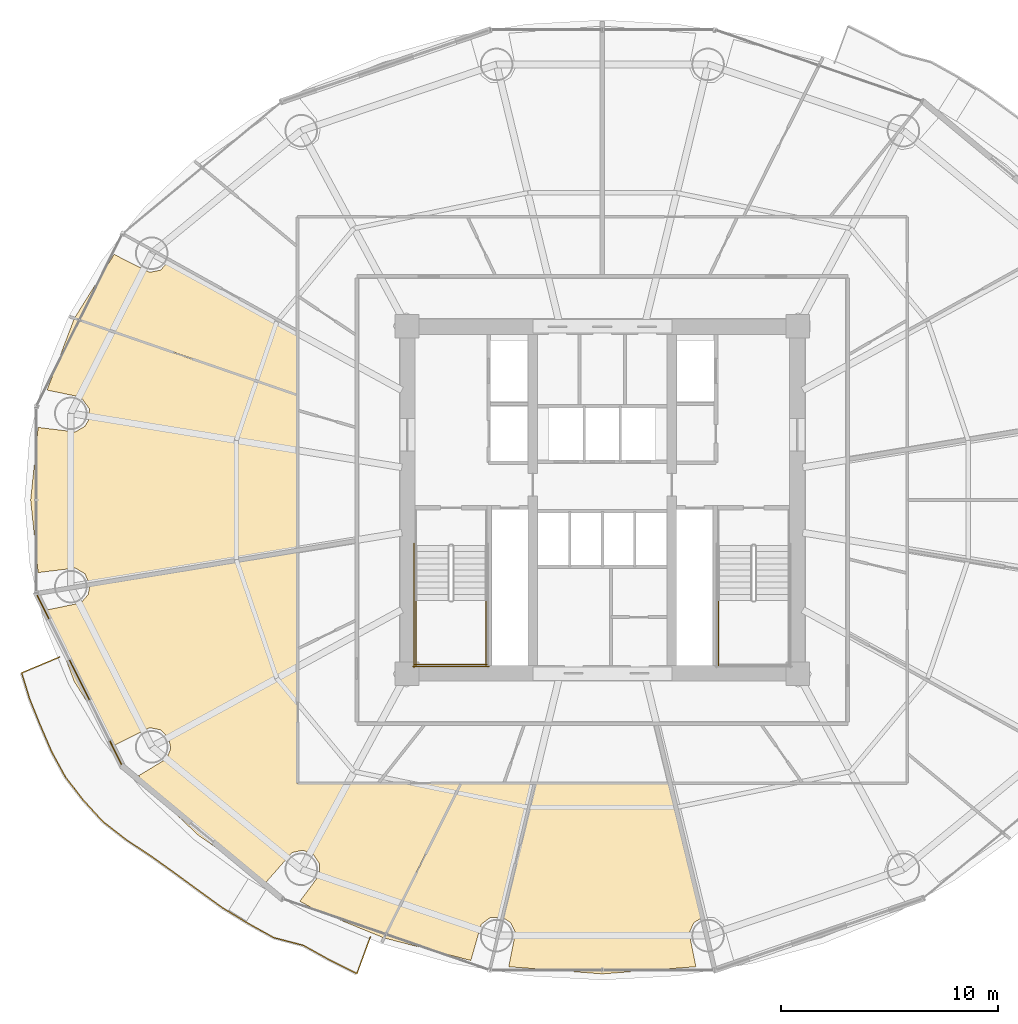
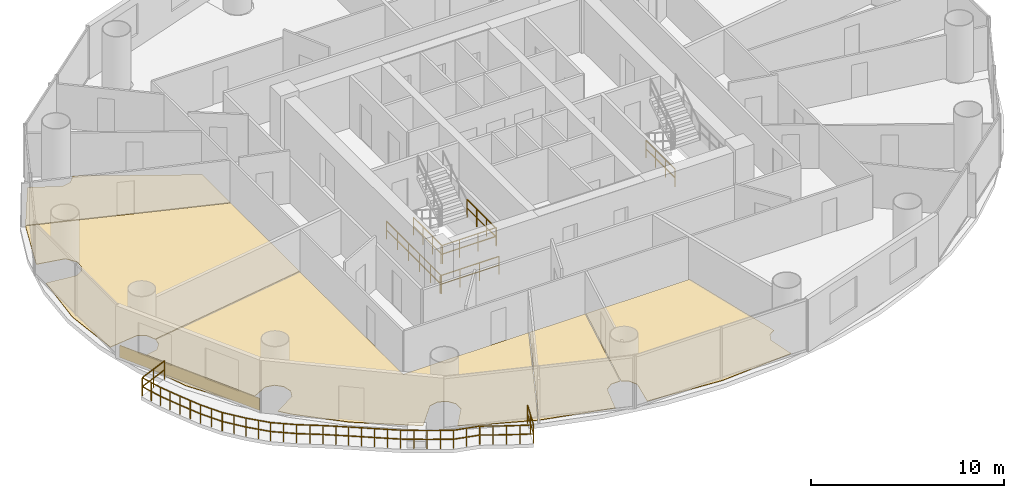
# One storey, part 26 of 29: 7 railings, 6 coverings.
"""IFC4 building model written with IfcOpenShell, lengths in metres."""

from ifc_helpers import new_model, si_unit, direction, frame, origin, origin_2d, place, context, subcontext, project, spatial, polyline, rectangle, outline, extrude, source, transform, mapped, material, layer, layer_set, type_object, element, save


model = new_model("IFC4")

# Units and contexts
model_context = context("Model", 3, precision=1e-05, world=origin(), true_north=direction((-0.2419218956, 0.970295726276)))
body_context = subcontext(model_context, "Body", "Model", "MODEL_VIEW")
ifc_project = project(units=[si_unit("LENGTHUNIT", "METRE"), si_unit("AREAUNIT", "SQUARE_METRE"), si_unit("VOLUMEUNIT", "CUBIC_METRE"), si_unit("PLANEANGLEUNIT", "RADIAN"), si_unit("MASSUNIT", "GRAM", prefix="KILO")], contexts=[model_context])

# Site, building, storey
site_placement = place(None, origin())
site = spatial("IfcSite", under=ifc_project, at=site_placement, CompositionType="ELEMENT")
building_placement = place(site_placement, origin())
building = spatial("IfcBuilding", under=site, at=building_placement, Name="Cobrevalo Terracotta Tower", CompositionType="ELEMENT")
storey_placement = place(building_placement, frame((0.0, 0.0, 79.800048828125)))
storey = spatial("IfcBuildingStorey", under=building, at=storey_placement, Name="L20", CompositionType="ELEMENT", Elevation=79.800048828125)

# Railing
ifc_material_1 = material(Name="Laminated structural glass and stainless steel", Category="steel")
railing_type_1 = type_object("IfcRailingType", Name="Balcony lobe structural glass & terracotta-cap balustrade 1180 mm", PredefinedType="BALUSTRADE", material=ifc_material_1)
railing_1_placement = place(storey_placement, frame((13.018798828125, 19.5732421875, 0.0)))
element("IfcRailing", 1, at=railing_1_placement, inside=storey, type_object=railing_type_1, Name="L20 spiralling balcony lobe balustrade 2", PredefinedType="BALUSTRADE", context=body_context, shape_type="SweptSolid", body=[
    extrude(rectangle(XDim=0.048095703125, YDim=0.048095703125, at=origin_2d()), frame((0.0, 0.0, 1.15576171875), z_axis=(-0.922383498366, -0.386275396501, 0.0), x_axis=(0.386275396501, -0.922383498366, 0.0)), (0.0, 0.0, 1.0), 1.89990234375),
    extrude(rectangle(XDim=0.048095703125, YDim=0.048095703125, at=origin_2d()), frame((0.0, 0.0, 0.58984375), z_axis=(-0.922383498366, -0.386275396501, 0.0), x_axis=(0.386275396501, -0.922383498366, 0.0)), (0.0, 0.0, 1.0), 1.89990234375),
    extrude(rectangle(XDim=0.048095703125, YDim=0.048095703125, at=origin_2d()), frame((-1.75244140625, -0.73388671875, 1.15576171875), z_axis=(0.293387817987, -0.95599350848, 0.0), x_axis=(0.95599350848, 0.293387817987, 0.0)), (0.0, 0.0, 1.0), 1.278076171875),
    extrude(rectangle(XDim=0.048095703125, YDim=0.048095703125, at=origin_2d()), frame((-1.75244140625, -0.73388671875, 0.58984375), z_axis=(0.293387817987, -0.95599350848, 0.0), x_axis=(0.95599350848, 0.293387817987, 0.0)), (0.0, 0.0, 1.0), 1.278076171875),
    extrude(rectangle(XDim=0.048095703125, YDim=0.048095703125, at=origin_2d()), frame((-1.37744140625, -1.955810546875, 1.15576171875), z_axis=(0.376245977, -0.926519813491, 0.0), x_axis=(0.926519813491, 0.376245977, 0.0)), (0.0, 0.0, 1.0), 1.299072265625),
    extrude(rectangle(XDim=0.048095703125, YDim=0.048095703125, at=origin_2d()), frame((-1.37744140625, -1.955810546875, 0.58984375), z_axis=(0.376245977, -0.926519813491, 0.0), x_axis=(0.926519813491, 0.376245977, 0.0)), (0.0, 0.0, 1.0), 1.299072265625),
    extrude(rectangle(XDim=0.048095703125, YDim=0.048095703125, at=origin_2d()), frame((-0.888671875, -3.159423828125, 1.15576171875), z_axis=(0.394947978191, -0.918703485638, 0.0), x_axis=(0.918703485638, 0.394947978191, 0.0)), (0.0, 0.0, 1.0), 1.3173828125),
    extrude(rectangle(XDim=0.048095703125, YDim=0.048095703125, at=origin_2d()), frame((-0.888671875, -3.159423828125, 0.58984375), z_axis=(0.394947978191, -0.918703485638, 0.0), x_axis=(0.918703485638, 0.394947978191, 0.0)), (0.0, 0.0, 1.0), 1.3173828125),
    extrude(rectangle(XDim=0.048095703125, YDim=0.048095703125, at=origin_2d()), frame((-0.368408203125, -4.36962890625, 1.15576171875), z_axis=(0.477352349083, -0.878711974896, 0.0), x_axis=(0.878711974896, 0.477352349083, 0.0)), (0.0, 0.0, 1.0), 1.32373046875),
    extrude(rectangle(XDim=0.048095703125, YDim=0.048095703125, at=origin_2d()), frame((-0.368408203125, -4.36962890625, 0.58984375), z_axis=(0.477352349083, -0.878711974896, 0.0), x_axis=(0.878711974896, 0.477352349083, 0.0)), (0.0, 0.0, 1.0), 1.32373046875),
    extrude(rectangle(XDim=0.048095703125, YDim=0.048095703125, at=origin_2d()), frame((0.263427734375, -5.53271484375, 1.15576171875), z_axis=(0.611603136557, -0.791164713162, 0.0), x_axis=(0.791164713162, 0.611603136557, 0.0)), (0.0, 0.0, 1.0), 1.33935546875),
    extrude(rectangle(XDim=0.048095703125, YDim=0.048095703125, at=origin_2d()), frame((0.263427734375, -5.53271484375, 0.58984375), z_axis=(0.611603136557, -0.791164713162, 0.0), x_axis=(0.791164713162, 0.611603136557, 0.0)), (0.0, 0.0, 1.0), 1.33935546875),
    extrude(rectangle(XDim=0.048095703125, YDim=0.048095703125, at=origin_2d()), frame((1.08251953125, -6.59228515625, 1.15576171875), z_axis=(0.675352095942, -0.737495455244, 0.0), x_axis=(0.737495455244, 0.675352095942, 0.0)), (0.0, 0.0, 1.0), 1.335693359375),
    extrude(rectangle(XDim=0.048095703125, YDim=0.048095703125, at=origin_2d()), frame((1.08251953125, -6.59228515625, 0.58984375), z_axis=(0.675352095942, -0.737495455244, 0.0), x_axis=(0.737495455244, 0.675352095942, 0.0)), (0.0, 0.0, 1.0), 1.335693359375),
    extrude(rectangle(XDim=0.048095703125, YDim=0.048095703125, at=origin_2d()), frame((1.984619140625, -7.577392578125, 1.15576171875), z_axis=(0.788830761153, -0.614610470346, 0.0), x_axis=(0.614610470346, 0.788830761153, 0.0)), (0.0, 0.0, 1.0), 1.362060546875),
    extrude(rectangle(XDim=0.048095703125, YDim=0.048095703125, at=origin_2d()), frame((1.984619140625, -7.577392578125, 0.58984375), z_axis=(0.788830761153, -0.614610470346, 0.0), x_axis=(0.614610470346, 0.788830761153, 0.0)), (0.0, 0.0, 1.0), 1.362060546875),
    extrude(rectangle(XDim=0.048095703125, YDim=0.048095703125, at=origin_2d()), frame((3.05908203125, -8.41455078125, 1.15576171875), z_axis=(0.834247089996, -0.551390780512, 0.0), x_axis=(0.551390780512, 0.834247089996, 0.0)), (0.0, 0.0, 1.0), 1.36376953125),
    extrude(rectangle(XDim=0.048095703125, YDim=0.048095703125, at=origin_2d()), frame((3.05908203125, -8.41455078125, 0.58984375), z_axis=(0.834247089996, -0.551390780512, 0.0), x_axis=(0.551390780512, 0.834247089996, 0.0)), (0.0, 0.0, 1.0), 1.36376953125),
    extrude(rectangle(XDim=0.048095703125, YDim=0.048095703125, at=origin_2d()), frame((4.19677734375, -9.16650390625, 1.15576171875), z_axis=(0.813893374706, -0.581014263688, 0.0), x_axis=(0.581014263688, 0.813893374706, 0.0)), (0.0, 0.0, 1.0), 1.3408203125),
    extrude(rectangle(XDim=0.048095703125, YDim=0.048095703125, at=origin_2d()), frame((4.19677734375, -9.16650390625, 0.58984375), z_axis=(0.813893374706, -0.581014263688, 0.0), x_axis=(0.581014263688, 0.813893374706, 0.0)), (0.0, 0.0, 1.0), 1.3408203125),
    extrude(rectangle(XDim=0.048095703125, YDim=0.048095703125, at=origin_2d()), frame((5.2880859375, -9.945556640625, 1.15576171875), z_axis=(0.807457104256, -0.589926287587, 0.0), x_axis=(0.589926287587, 0.807457104256, 0.0)), (0.0, 0.0, 1.0), 1.355712890625),
    extrude(rectangle(XDim=0.048095703125, YDim=0.048095703125, at=origin_2d()), frame((5.2880859375, -9.945556640625, 0.58984375), z_axis=(0.807457104256, -0.589926287587, 0.0), x_axis=(0.589926287587, 0.807457104256, 0.0)), (0.0, 0.0, 1.0), 1.355712890625),
    extrude(rectangle(XDim=0.048095703125, YDim=0.048095703125, at=origin_2d()), frame((6.3828125, -10.745361328125, 1.15576171875), z_axis=(0.809336124214, -0.58734575681, 0.0), x_axis=(0.58734575681, 0.809336124214, 0.0)), (0.0, 0.0, 1.0), 1.353759765625),
    extrude(rectangle(XDim=0.048095703125, YDim=0.048095703125, at=origin_2d()), frame((6.3828125, -10.745361328125, 0.58984375), z_axis=(0.809336124214, -0.58734575681, 0.0), x_axis=(0.58734575681, 0.809336124214, 0.0)), (0.0, 0.0, 1.0), 1.353759765625),
    extrude(rectangle(XDim=0.048095703125, YDim=0.048095703125, at=origin_2d()), frame((7.478515625, -11.54052734375, 1.15576171875), z_axis=(0.853709159768, -0.520750103723, 0.0), x_axis=(0.520750103723, 0.853709159768, 0.0)), (0.0, 0.0, 1.0), 1.368896484375),
    extrude(rectangle(XDim=0.048095703125, YDim=0.048095703125, at=origin_2d()), frame((7.478515625, -11.54052734375, 0.58984375), z_axis=(0.853709159768, -0.520750103723, 0.0), x_axis=(0.520750103723, 0.853709159768, 0.0)), (0.0, 0.0, 1.0), 1.368896484375),
    extrude(rectangle(XDim=0.048095703125, YDim=0.048095703125, at=origin_2d()), frame((8.647216796875, -12.25341796875, 1.15576171875), z_axis=(0.87437430677, -0.485252070228, 0.0), x_axis=(0.485252070228, 0.87437430677, 0.0)), (0.0, 0.0, 1.0), 1.379150390625),
    extrude(rectangle(XDim=0.048095703125, YDim=0.048095703125, at=origin_2d()), frame((8.647216796875, -12.25341796875, 0.58984375), z_axis=(0.87437430677, -0.485252070228, 0.0), x_axis=(0.485252070228, 0.87437430677, 0.0)), (0.0, 0.0, 1.0), 1.379150390625),
    extrude(rectangle(XDim=0.048095703125, YDim=0.048095703125, at=origin_2d()), frame((9.85302734375, -12.922607421875, 1.15576171875), z_axis=(0.967517354324, -0.252804606528, 0.0), x_axis=(0.252804606528, 0.967517354324, 0.0)), (0.0, 0.0, 1.0), 1.40234375),
    extrude(rectangle(XDim=0.048095703125, YDim=0.048095703125, at=origin_2d()), frame((9.85302734375, -12.922607421875, 0.58984375), z_axis=(0.967517354324, -0.252804606528, 0.0), x_axis=(0.252804606528, 0.967517354324, 0.0)), (0.0, 0.0, 1.0), 1.40234375),
    extrude(rectangle(XDim=0.048095703125, YDim=0.048095703125, at=origin_2d()), frame((11.209716796875, -13.277099609375, 1.15576171875), z_axis=(0.874792497823, -0.484497766509, 0.0), x_axis=(0.484497766509, 0.874792497823, 0.0)), (0.0, 0.0, 1.0), 1.394287109375),
    extrude(rectangle(XDim=0.048095703125, YDim=0.048095703125, at=origin_2d()), frame((11.209716796875, -13.277099609375, 0.58984375), z_axis=(0.874792497823, -0.484497766509, 0.0), x_axis=(0.484497766509, 0.874792497823, 0.0)), (0.0, 0.0, 1.0), 1.394287109375),
    extrude(rectangle(XDim=0.048095703125, YDim=0.048095703125, at=origin_2d()), frame((12.429443359375, -13.95263671875, 1.15576171875), z_axis=(0.894113185743, -0.4478410556, 0.0), x_axis=(0.4478410556, 0.894113185743, 0.0)), (0.0, 0.0, 1.0), 1.400390625),
    extrude(rectangle(XDim=0.048095703125, YDim=0.048095703125, at=origin_2d()), frame((12.429443359375, -13.95263671875, 0.58984375), z_axis=(0.894113185743, -0.4478410556, 0.0), x_axis=(0.4478410556, 0.894113185743, 0.0)), (0.0, 0.0, 1.0), 1.400390625),
    extrude(rectangle(XDim=0.048095703125, YDim=0.048095703125, at=origin_2d()), frame((13.681640625, -14.579833984375, 1.15576171875), z_axis=(0.34439807019, 0.938823715747, 0.0), x_axis=(-0.938823715747, 0.34439807019, 0.0)), (0.0, 0.0, 1.0), 1.800537109375),
    extrude(rectangle(XDim=0.048095703125, YDim=0.048095703125, at=origin_2d()), frame((13.681640625, -14.579833984375, 0.58984375), z_axis=(0.34439807019, 0.938823715747, 0.0), x_axis=(-0.938823715747, 0.34439807019, 0.0)), (0.0, 0.0, 1.0), 1.800537109375),
    extrude(rectangle(XDim=0.0419921875, YDim=0.0419921875, at=origin_2d()), origin(), (0.0, 0.0, 1.0), 1.1318359375),
    extrude(rectangle(XDim=0.0419921875, YDim=0.0419921875, at=origin_2d()), frame((-0.876220703125, -0.366943359375, 0.0)), (0.0, 0.0, 1.0), 1.1318359375),
    extrude(rectangle(XDim=0.0419921875, YDim=0.0419921875, at=origin_2d()), frame((-1.75244140625, -0.73388671875, 0.0)), (0.0, 0.0, 1.0), 1.1318359375),
    extrude(rectangle(XDim=0.0419921875, YDim=0.0419921875, at=origin_2d()), frame((-1.56494140625, -1.3447265625, 0.0)), (0.0, 0.0, 1.0), 1.1318359375),
    extrude(rectangle(XDim=0.0419921875, YDim=0.0419921875, at=origin_2d()), frame((-1.37744140625, -1.955810546875, 0.0)), (0.0, 0.0, 1.0), 1.1318359375),
    extrude(rectangle(XDim=0.0419921875, YDim=0.0419921875, at=origin_2d()), frame((-1.133056640625, -2.5576171875, 0.0)), (0.0, 0.0, 1.0), 1.1318359375),
    extrude(rectangle(XDim=0.0419921875, YDim=0.0419921875, at=origin_2d()), frame((-0.888671875, -3.159423828125, 0.0)), (0.0, 0.0, 1.0), 1.1318359375),
    extrude(rectangle(XDim=0.0419921875, YDim=0.0419921875, at=origin_2d()), frame((-0.62841796875, -3.7646484375, 0.0)), (0.0, 0.0, 1.0), 1.1318359375),
    extrude(rectangle(XDim=0.0419921875, YDim=0.0419921875, at=origin_2d()), frame((-0.368408203125, -4.36962890625, 0.0)), (0.0, 0.0, 1.0), 1.1318359375),
    extrude(rectangle(XDim=0.0419921875, YDim=0.0419921875, at=origin_2d()), frame((-0.052490234375, -4.951171875, 0.0)), (0.0, 0.0, 1.0), 1.1318359375),
    extrude(rectangle(XDim=0.0419921875, YDim=0.0419921875, at=origin_2d()), frame((0.263427734375, -5.53271484375, 0.0)), (0.0, 0.0, 1.0), 1.1318359375),
    extrude(rectangle(XDim=0.0419921875, YDim=0.0419921875, at=origin_2d()), frame((0.6728515625, -6.0625, 0.0)), (0.0, 0.0, 1.0), 1.1318359375),
    extrude(rectangle(XDim=0.0419921875, YDim=0.0419921875, at=origin_2d()), frame((1.08251953125, -6.59228515625, 0.0)), (0.0, 0.0, 1.0), 1.1318359375),
    extrude(rectangle(XDim=0.0419921875, YDim=0.0419921875, at=origin_2d()), frame((1.53369140625, -7.0849609375, 0.0)), (0.0, 0.0, 1.0), 1.1318359375),
    extrude(rectangle(XDim=0.0419921875, YDim=0.0419921875, at=origin_2d()), frame((1.984619140625, -7.577392578125, 0.0)), (0.0, 0.0, 1.0), 1.1318359375),
    extrude(rectangle(XDim=0.0419921875, YDim=0.0419921875, at=origin_2d()), frame((2.52197265625, -7.99609375, 0.0)), (0.0, 0.0, 1.0), 1.1318359375),
    extrude(rectangle(XDim=0.0419921875, YDim=0.0419921875, at=origin_2d()), frame((3.05908203125, -8.41455078125, 0.0)), (0.0, 0.0, 1.0), 1.1318359375),
    extrude(rectangle(XDim=0.0419921875, YDim=0.0419921875, at=origin_2d()), frame((3.6279296875, -8.79052734375, 0.0)), (0.0, 0.0, 1.0), 1.1318359375),
    extrude(rectangle(XDim=0.0419921875, YDim=0.0419921875, at=origin_2d()), frame((4.19677734375, -9.16650390625, 0.0)), (0.0, 0.0, 1.0), 1.1318359375),
    extrude(rectangle(XDim=0.0419921875, YDim=0.0419921875, at=origin_2d()), frame((4.742431640625, -9.55615234375, 0.0)), (0.0, 0.0, 1.0), 1.1318359375),
    extrude(rectangle(XDim=0.0419921875, YDim=0.0419921875, at=origin_2d()), frame((5.2880859375, -9.945556640625, 0.0)), (0.0, 0.0, 1.0), 1.1318359375),
    extrude(rectangle(XDim=0.0419921875, YDim=0.0419921875, at=origin_2d()), frame((5.83544921875, -10.345458984375, 0.0)), (0.0, 0.0, 1.0), 1.1318359375),
    extrude(rectangle(XDim=0.0419921875, YDim=0.0419921875, at=origin_2d()), frame((6.3828125, -10.745361328125, 0.0)), (0.0, 0.0, 1.0), 1.1318359375),
    extrude(rectangle(XDim=0.0419921875, YDim=0.0419921875, at=origin_2d()), frame((6.9306640625, -11.14306640625, 0.0)), (0.0, 0.0, 1.0), 1.1318359375),
    extrude(rectangle(XDim=0.0419921875, YDim=0.0419921875, at=origin_2d()), frame((7.478515625, -11.54052734375, 0.0)), (0.0, 0.0, 1.0), 1.1318359375),
    extrude(rectangle(XDim=0.0419921875, YDim=0.0419921875, at=origin_2d()), frame((8.06298828125, -11.89697265625, 0.0)), (0.0, 0.0, 1.0), 1.1318359375),
    extrude(rectangle(XDim=0.0419921875, YDim=0.0419921875, at=origin_2d()), frame((8.647216796875, -12.25341796875, 0.0)), (0.0, 0.0, 1.0), 1.1318359375),
    extrude(rectangle(XDim=0.0419921875, YDim=0.0419921875, at=origin_2d()), frame((9.25, -12.587890625, 0.0)), (0.0, 0.0, 1.0), 1.1318359375),
    extrude(rectangle(XDim=0.0419921875, YDim=0.0419921875, at=origin_2d()), frame((9.85302734375, -12.922607421875, 0.0)), (0.0, 0.0, 1.0), 1.1318359375),
    extrude(rectangle(XDim=0.0419921875, YDim=0.0419921875, at=origin_2d()), frame((10.53125, -13.099853515625, 0.0)), (0.0, 0.0, 1.0), 1.1318359375),
    extrude(rectangle(XDim=0.0419921875, YDim=0.0419921875, at=origin_2d()), frame((11.209716796875, -13.277099609375, 0.0)), (0.0, 0.0, 1.0), 1.1318359375),
    extrude(rectangle(XDim=0.0419921875, YDim=0.0419921875, at=origin_2d()), frame((11.819580078125, -13.61474609375, 0.0)), (0.0, 0.0, 1.0), 1.1318359375),
    extrude(rectangle(XDim=0.0419921875, YDim=0.0419921875, at=origin_2d()), frame((12.429443359375, -13.95263671875, 0.0)), (0.0, 0.0, 1.0), 1.1318359375),
    extrude(rectangle(XDim=0.0419921875, YDim=0.0419921875, at=origin_2d()), frame((13.0556640625, -14.26611328125, 0.0)), (0.0, 0.0, 1.0), 1.1318359375),
    extrude(rectangle(XDim=0.0419921875, YDim=0.0419921875, at=origin_2d()), frame((13.681640625, -14.579833984375, 0.0)), (0.0, 0.0, 1.0), 1.1318359375),
    extrude(rectangle(XDim=0.0419921875, YDim=0.0419921875, at=origin_2d()), frame((13.99169921875, -13.734619140625, 0.0)), (0.0, 0.0, 1.0), 1.1318359375),
    extrude(rectangle(XDim=0.0419921875, YDim=0.0419921875, at=origin_2d()), frame((14.3017578125, -12.889404296875, 0.0)), (0.0, 0.0, 1.0), 1.1318359375),
])

# Coverings
ifc_material_2 = material(Name="Engineered Brazilian hardwood flooring", Category="wood")
ifc_layer_1 = layer(ifc_material_2, 0.028076171875)
ifc_layer_set_1 = layer_set([ifc_layer_1], Name="Engineered Brazilian hardwood flooring")
covering_type_1 = type_object("IfcCoveringType", Name="Engineered Hardwood Suite Flooring 28", PredefinedType="FLOORING", material=ifc_layer_set_1)
covering_1_placement = place(storey_placement, origin())
element("IfcCovering", 2, at=covering_1_placement, inside=storey, type_object=covering_type_1, Name="Flat L20B Principal Guest Bedroom floor finish", PredefinedType="FLOORING", context=body_context, shape_type="SweptSolid", body=[
    extrude(outline(polyline([(15.525146484375, 38.10546875), (17.15966796875, 37.286376953125), (17.661865234375, 37.381103515625), (18.0703125, 37.8408203125), (23.945068359375, 34.57958984375), (23.945068359375, 31.657958984375), (13.703125, 35.1826171875), (15.525146484375, 38.10546875)])), origin(), (0.0, 0.0, 1.0), 0.030029296875),
])
covering_2_placement = place(storey_placement, origin())
element("IfcCovering", 3, at=covering_2_placement, inside=storey, type_object=covering_type_1, Name="Flat L20B Penthouse Family Lounge floor finish", PredefinedType="FLOORING", context=body_context, shape_type="SweptSolid", body=[
    extrude(outline(polyline([(12.024169921875, 30.143310546875), (13.73095703125, 29.932861328125), (14.1728515625, 30.189208984375), (14.353759765625, 30.481201171875), (14.38623046875, 30.9912109375), (13.99267578125, 31.537841796875), (12.435791015625, 31.859619140625), (13.6845703125, 35.146728515625), (23.945068359375, 31.61572265625), (23.945068359375, 24.49755859375), (14.39697265625, 22.919677734375), (14.1728515625, 23.41064453125), (13.73095703125, 23.6669921875), (12.024169921875, 23.45654296875), (11.68017578125, 26.800048828125), (12.024169921875, 30.143310546875)])), origin(), (0.0, 0.0, 1.0), 0.030029296875),
])
covering_3_placement = place(storey_placement, origin())
element("IfcCovering", 4, at=covering_3_placement, inside=storey, type_object=covering_type_1, Name="Flat L20C Penthouse Living and Dining Room floor finish", PredefinedType="FLOORING", context=body_context, shape_type="SweptSolid", body=[
    extrude(outline(polyline([(24.838623046875, 7.904052734375), (24.07568359375, 8.32666015625), (24.9814453125, 9.543701171875), (24.97998046875, 10.0546875), (24.694580078125, 10.478515625), (24.221923828125, 10.672607421875), (23.72119140625, 10.5712890625), (22.511474609375, 9.193359375), (19.3876953125, 11.372314453125), (17.117919921875, 13.518310546875), (16.64697265625, 14.102294921875), (17.94091796875, 14.88720703125), (18.131591796875, 15.361328125), (18.02685546875, 15.861328125), (17.661865234375, 16.218994140625), (17.15966796875, 16.3134765625), (15.525146484375, 15.49462890625), (13.682861328125, 18.451171875), (12.435791015625, 21.740478515625), (13.99267578125, 22.06201171875), (14.330322265625, 22.445556640625), (14.402587890625, 22.8798828125), (23.945068359375, 24.45703125), (23.945068359375, 13.7451171875), (31.468994140625, 13.7451171875), (27.92822265625, 6.64306640625), (24.838623046875, 7.904052734375)])), origin(), (0.0, 0.0, 1.0), 0.030029296875),
])
covering_4_placement = place(storey_placement, origin())
element("IfcCovering", 5, at=covering_4_placement, inside=storey, type_object=covering_type_1, Name="Flat L20C Master Bedroom floor finish", PredefinedType="FLOORING", context=body_context, shape_type="SweptSolid", body=[
    extrude(outline(polyline([(27.966552734375, 6.630126953125), (31.513671875, 13.7451171875), (34.853759765625, 13.7451171875), (33.37890625, 7.584716796875), (32.829833984375, 7.5693359375), (32.421875, 7.261962890625), (31.94921875, 5.59814453125), (27.966552734375, 6.630126953125)])), origin(), (0.0, 0.0, 1.0), 0.030029296875),
])
covering_5_placement = place(storey_placement, origin())
element("IfcCovering", 6, at=covering_5_placement, inside=storey, type_object=covering_type_1, Name="Flat L20C Penthouse Family Lounge floor finish", PredefinedType="FLOORING", context=body_context, shape_type="SweptSolid", body=[
    extrude(outline(polyline([(33.6904296875, 5.310791015625), (34.002197265625, 6.87841796875), (33.7802734375, 7.3388671875), (33.4169921875, 7.5712890625), (34.89501953125, 13.7451171875), (41.10498046875, 13.7451171875), (42.5830078125, 7.5712890625), (42.2197265625, 7.3388671875), (41.997802734375, 6.87841796875), (42.3095703125, 5.310791015625), (38.0, 4.97998046875), (33.6904296875, 5.310791015625)])), origin(), (0.0, 0.0, 1.0), 0.030029296875),
])

# Railings
ifc_material_3 = material(Name="Painted galvanized steel", Category="steel")
railing_type_2 = type_object("IfcRailingType", Name="Stair Well Guard Balustrade 1150", PredefinedType="GUARDRAIL", material=ifc_material_3)
for number, where, name in (
    (7, (29.425048828125, 22.179931640625, 1.800048828125), "L20 ST-1 stair guard 3"),
    (8, (32.64501953125, 22.179931640625, 1.800048828125), "L20 ST-1 stair guard 4"),
):
    element("IfcRailing", number, at=place(storey_placement, frame(where)), inside=storey, type_object=railing_type_2, Name=name, PredefinedType="GUARDRAIL", context=body_context, shape_type="SweptSolid", body=[
        extrude(rectangle(XDim=0.048095703125, YDim=0.048095703125, at=origin_2d()), frame((0.0, 0.0, 1.1259765625), z_axis=(0.0, -1.0, 0.0), x_axis=(1.0, 0.0, 0.0)), (0.0, 0.0, 1.0), 3.0048828125),
        extrude(rectangle(XDim=0.048095703125, YDim=0.048095703125, at=origin_2d()), frame((0.0, 0.0, 0.574951171875), z_axis=(0.0, -1.0, 0.0), x_axis=(1.0, 0.0, 0.0)), (0.0, 0.0, 1.0), 3.0048828125),
        extrude(rectangle(XDim=0.0419921875, YDim=0.0419921875, at=origin_2d()), origin(), (0.0, 0.0, 1.0), 1.101806640625),
        extrude(rectangle(XDim=0.0419921875, YDim=0.0419921875, at=origin_2d()), frame((0.0, -1.001708984375, 0.0)), (0.0, 0.0, 1.0), 1.101806640625),
        extrude(rectangle(XDim=0.0419921875, YDim=0.0419921875, at=origin_2d()), frame((0.0, -2.003173828125, 0.0)), (0.0, 0.0, 1.0), 1.101806640625),
        extrude(rectangle(XDim=0.0419921875, YDim=0.0419921875, at=origin_2d()), frame((0.0, -3.0048828125, 0.0)), (0.0, 0.0, 1.0), 1.101806640625),
    ])
railing_2_placement = place(storey_placement, frame((29.375, 19.22509765625, 1.800048828125)))
element("IfcRailing", 9, at=railing_2_placement, inside=storey, type_object=railing_type_2, Name="L20 ST-1 stair guard 5", PredefinedType="GUARDRAIL", context=body_context, shape_type="SweptSolid", body=[
    extrude(rectangle(XDim=0.048095703125, YDim=0.048095703125, at=origin_2d()), frame((0.0, 0.0, 1.1259765625), z_axis=(1.0, 0.0, 0.0), x_axis=(0.0, 1.0, 0.0)), (0.0, 0.0, 1.0), 3.320068359375),
    extrude(rectangle(XDim=0.048095703125, YDim=0.048095703125, at=origin_2d()), frame((0.0, 0.0, 0.574951171875), z_axis=(1.0, 0.0, 0.0), x_axis=(0.0, 1.0, 0.0)), (0.0, 0.0, 1.0), 3.320068359375),
    extrude(rectangle(XDim=0.0419921875, YDim=0.0419921875, at=origin_2d()), origin(), (0.0, 0.0, 1.0), 1.101806640625),
    extrude(rectangle(XDim=0.0419921875, YDim=0.0419921875, at=origin_2d()), frame((1.106689453125, 0.0, 0.0)), (0.0, 0.0, 1.0), 1.101806640625),
    extrude(rectangle(XDim=0.0419921875, YDim=0.0419921875, at=origin_2d()), frame((2.21337890625, 0.0, 0.0)), (0.0, 0.0, 1.0), 1.101806640625),
    extrude(rectangle(XDim=0.0419921875, YDim=0.0419921875, at=origin_2d()), frame((3.320068359375, 0.0, 0.0)), (0.0, 0.0, 1.0), 1.101806640625),
])
railing_3_placement = place(storey_placement, frame((29.324951171875, 24.800048828125, 0.0)))
element("IfcRailing", 10, at=railing_3_placement, inside=storey, type_object=railing_type_2, Name="L20 ST-1 stair guard 10", PredefinedType="GUARDRAIL", context=body_context, shape_type="SweptSolid", body=[
    extrude(rectangle(XDim=0.048095703125, YDim=0.048095703125, at=origin_2d()), frame((0.0, 0.0, 1.1259765625), z_axis=(0.0, -1.0, 0.0), x_axis=(1.0, 0.0, 0.0)), (0.0, 0.0, 1.0), 5.72509765625),
    extrude(rectangle(XDim=0.048095703125, YDim=0.048095703125, at=origin_2d()), frame((0.0, 0.0, 0.574951171875), z_axis=(0.0, -1.0, 0.0), x_axis=(1.0, 0.0, 0.0)), (0.0, 0.0, 1.0), 5.72509765625),
    extrude(rectangle(XDim=0.0419921875, YDim=0.0419921875, at=origin_2d()), origin(), (0.0, 0.0, 1.0), 1.101806640625),
    extrude(rectangle(XDim=0.0419921875, YDim=0.0419921875, at=origin_2d()), frame((0.0, -1.14501953125, 0.0)), (0.0, 0.0, 1.0), 1.101806640625),
    extrude(rectangle(XDim=0.0419921875, YDim=0.0419921875, at=origin_2d()), frame((0.0, -2.2900390625, 0.0)), (0.0, 0.0, 1.0), 1.101806640625),
    extrude(rectangle(XDim=0.0419921875, YDim=0.0419921875, at=origin_2d()), frame((0.0, -3.43505859375, 0.0)), (0.0, 0.0, 1.0), 1.101806640625),
    extrude(rectangle(XDim=0.0419921875, YDim=0.0419921875, at=origin_2d()), frame((0.0, -4.580078125, 0.0)), (0.0, 0.0, 1.0), 1.101806640625),
    extrude(rectangle(XDim=0.0419921875, YDim=0.0419921875, at=origin_2d()), frame((0.0, -5.72509765625, 0.0)), (0.0, 0.0, 1.0), 1.101806640625),
])
railing_4_placement = place(storey_placement, frame((29.27490234375, 19.125, 0.0)))
element("IfcRailing", 11, at=railing_4_placement, inside=storey, type_object=railing_type_2, Name="L20 ST-1 stair guard 12", PredefinedType="GUARDRAIL", context=body_context, shape_type="SweptSolid", body=[
    extrude(rectangle(XDim=0.048095703125, YDim=0.048095703125, at=origin_2d()), frame((0.0, 0.0, 1.1259765625), z_axis=(1.0, 0.0, 0.0), x_axis=(0.0, 1.0, 0.0)), (0.0, 0.0, 1.0), 3.52001953125),
    extrude(rectangle(XDim=0.048095703125, YDim=0.048095703125, at=origin_2d()), frame((0.0, 0.0, 0.574951171875), z_axis=(1.0, 0.0, 0.0), x_axis=(0.0, 1.0, 0.0)), (0.0, 0.0, 1.0), 3.52001953125),
    extrude(rectangle(XDim=0.0419921875, YDim=0.0419921875, at=origin_2d()), origin(), (0.0, 0.0, 1.0), 1.101806640625),
    extrude(rectangle(XDim=0.0419921875, YDim=0.0419921875, at=origin_2d()), frame((1.17333984375, 0.0, 0.0)), (0.0, 0.0, 1.0), 1.101806640625),
    extrude(rectangle(XDim=0.0419921875, YDim=0.0419921875, at=origin_2d()), frame((2.3466796875, 0.0, 0.0)), (0.0, 0.0, 1.0), 1.101806640625),
    extrude(rectangle(XDim=0.0419921875, YDim=0.0419921875, at=origin_2d()), frame((3.52001953125, 0.0, 0.0)), (0.0, 0.0, 1.0), 1.101806640625),
])
railing_5_placement = place(storey_placement, frame((43.35498046875, 22.179931640625, 1.800048828125)))
element("IfcRailing", 12, at=railing_5_placement, inside=storey, type_object=railing_type_2, Name="L20 ST-2 stair guard 3", PredefinedType="GUARDRAIL", context=body_context, shape_type="SweptSolid", body=[
    extrude(rectangle(XDim=0.048095703125, YDim=0.048095703125, at=origin_2d()), frame((0.0, 0.0, 1.1259765625), z_axis=(0.0, -1.0, 0.0), x_axis=(1.0, 0.0, 0.0)), (0.0, 0.0, 1.0), 3.0048828125),
    extrude(rectangle(XDim=0.048095703125, YDim=0.048095703125, at=origin_2d()), frame((0.0, 0.0, 0.574951171875), z_axis=(0.0, -1.0, 0.0), x_axis=(1.0, 0.0, 0.0)), (0.0, 0.0, 1.0), 3.0048828125),
    extrude(rectangle(XDim=0.0419921875, YDim=0.0419921875, at=origin_2d()), origin(), (0.0, 0.0, 1.0), 1.101806640625),
    extrude(rectangle(XDim=0.0419921875, YDim=0.0419921875, at=origin_2d()), frame((0.0, -1.001708984375, 0.0)), (0.0, 0.0, 1.0), 1.101806640625),
    extrude(rectangle(XDim=0.0419921875, YDim=0.0419921875, at=origin_2d()), frame((0.0, -2.003173828125, 0.0)), (0.0, 0.0, 1.0), 1.101806640625),
    extrude(rectangle(XDim=0.0419921875, YDim=0.0419921875, at=origin_2d()), frame((0.0, -3.0048828125, 0.0)), (0.0, 0.0, 1.0), 1.101806640625),
])

# Covering
ifc_material_4 = material(Name="Glazed terracotta facade cladding tile", Category="masonry")
ifc_layer_2 = layer(ifc_material_4, 0.044921875)
ifc_layer_set_2 = layer_set([ifc_layer_2], Name="Glazed terracotta facade cladding tile")
covering_type_2 = type_object("IfcCoveringType", Name="Architectural terracotta rainscreen spandrel cladding 45 mm", PredefinedType="CLADDING", material=ifc_layer_set_2)
shared_shape = source(origin(), body_context, "Body", "SweptSolid", [
    extrude(rectangle(XDim=8.690185546875, YDim=0.044921875, at=origin_2d()), origin(), (0.0, 0.0, 1.0), 0.760009765625),
])
covering_6_placement = place(storey_placement, frame((13.924072265625, 18.516357421875, 0.0400390625), z_axis=(0.0, 0.0, 1.0), x_axis=(0.446261852127, -0.894902430065, 0.0)))
element("IfcCovering", 13, at=covering_6_placement, inside=storey, type_object=covering_type_2, Name="L20 terracotta spandrel cladding S09", PredefinedType="CLADDING", context=body_context, shape_type="MappedRepresentation", body=[
    mapped(shared_shape, transform((0.0, 0.0, 0.0), scale=1.0)),
])

save(model, "model.ifc")
